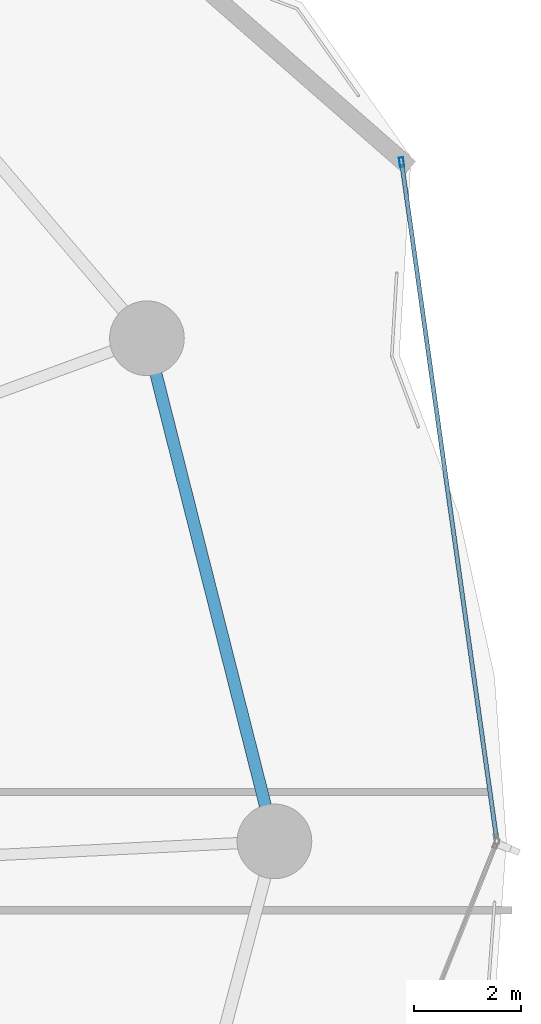
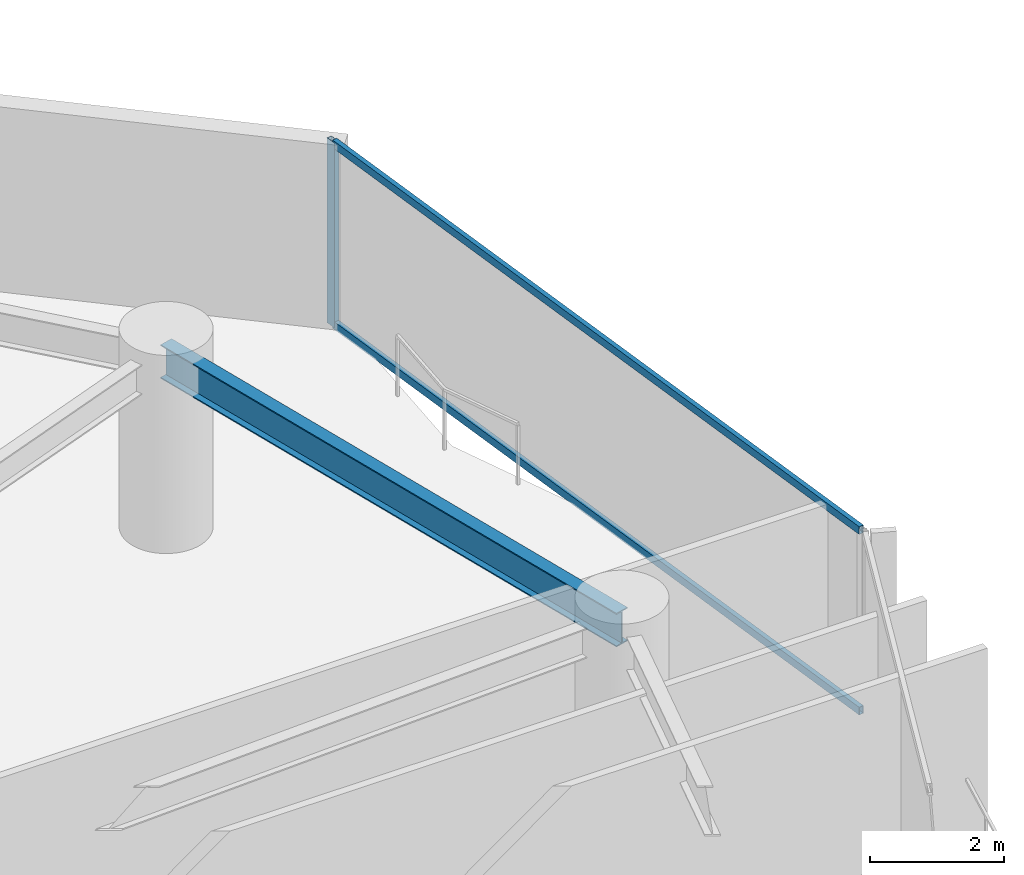
# One storey, part 23 of 32: 3 members, 1 beam, 1 element without a shape of its own.
"""IFC4 building model written with IfcOpenShell, lengths in metres."""

from ifc_helpers import new_model, si_unit, direction, frame, origin, origin_2d, place, context, subcontext, project, spatial, hollow_rectangle, i_section, extrude, material, layer, layer_set, material_profile, profile_set, type_object, element, aggregate, save


model = new_model("IFC4")

# Units and contexts
model_context = context("Model", 3, precision=1e-05, world=origin(), true_north=direction((0.0, 1.0)))
body_context = subcontext(model_context, "Body", "Model", "MODEL_VIEW")
ifc_project = project(units=[si_unit("LENGTHUNIT", "METRE"), si_unit("AREAUNIT", "SQUARE_METRE"), si_unit("VOLUMEUNIT", "CUBIC_METRE"), si_unit("PLANEANGLEUNIT", "RADIAN"), si_unit("MASSUNIT", "GRAM", prefix="KILO")], contexts=[model_context])

# Site, building, storey
site_placement = place(None, origin())
site = spatial("IfcSite", under=ifc_project, at=site_placement, CompositionType="ELEMENT")
building_placement = place(site_placement, origin())
building = spatial("IfcBuilding", under=site, at=building_placement, Name="Kazevale Care Tower and Concert Hall", CompositionType="ELEMENT")
storey_placement = place(building_placement, frame((0.0, 0.0, 42.0)))
storey = spatial("IfcBuildingStorey", under=building, at=storey_placement, Name="L10", CompositionType="ELEMENT", Elevation=42.0)

# Curtain wall, members
ifc_material_1 = material(Name="Aluminium 6063-T6 and Low-E Glass", Category="aluminium")
ifc_layer = layer(ifc_material_1, 0.179931640625)
ifc_layer_set = layer_set([ifc_layer], Name="Aluminium 6063-T6 and Low-E Glass")
curtain_wall_type = type_object("IfcCurtainWallType", Name="Waist & Upper Residential Curtain Wall CW-4", PredefinedType="NOTDEFINED", material=ifc_layer_set)
curtain_wall_placement = place(storey_placement, origin())
curtain_wall = element("IfcCurtainWall", 1, at=curtain_wall_placement, inside=storey, type_object=curtain_wall_type, Name="cw:L10:f18", PredefinedType="NOTDEFINED")
ifc_material_2 = material(Name="Aluminium 6063-T6", Category="aluminium")
ifc_material_profile_1 = material_profile(ifc_material_2, hollow_rectangle(XDim=0.080078125, YDim=0.179931640625, WallThickness=0.0048828125, at=origin_2d()), Name="ALU80x180x5")
ifc_profile_set_1 = profile_set([ifc_material_profile_1], Name="Aluminium 6063-T6")
member_type_1 = type_object("IfcMemberType", Name="CW-4 Mullion ALU80x180x5", PredefinedType="MULLION", material=ifc_profile_set_1)
member_1_placement = place(storey_placement, frame((78.83349609375, 50.7294921875, 0.0), z_axis=(0.0, 0.0, 1.0), x_axis=(0.990295475282, 0.138977953775, 0.0)))
member_1 = element("IfcMember", 2, at=member_1_placement, type_object=member_type_1, Name="CW-4 mullion 1", PredefinedType="MULLION", context=body_context, shape_type="SweptSolid", body=[
    extrude(hollow_rectangle(XDim=0.080078125, YDim=0.179931640625, WallThickness=0.0048828125, at=origin_2d()), origin(), (0.0, 0.0, 1.0), 3.360107421875),
])
ifc_material_profile_2 = material_profile(ifc_material_2, hollow_rectangle(XDim=0.080078125, YDim=0.139892578125, WallThickness=0.00390625, at=origin_2d()), Name="ALU80x140x4")
ifc_profile_set_2 = profile_set([ifc_material_profile_2], Name="Aluminium 6063-T6")
member_type_2 = type_object("IfcMemberType", Name="CW-4 Transom ALU80x140x4", PredefinedType="USERDEFINED", material=ifc_profile_set_2)
member_2_placement = place(storey_placement, frame((78.839111328125, 50.689697265625, 0.0400390625), z_axis=(0.138981041567, -0.990295041937, 0.0), x_axis=(0.990295041937, 0.138981041567, 0.0)))
member_2 = element("IfcMember", 3, at=member_2_placement, type_object=member_type_2, Name="CW-4 transom 1.1", ObjectType="TRANSOM", PredefinedType="USERDEFINED", context=body_context, shape_type="SweptSolid", body=[
    extrude(hollow_rectangle(XDim=0.080078125, YDim=0.139892578125, WallThickness=0.00390625, at=origin_2d()), origin(), (0.0, 0.0, 1.0), 12.73388671875),
])
member_3_placement = place(storey_placement, frame((78.839111328125, 50.689697265625, 3.320068359375), z_axis=(0.138981041567, -0.990295041937, 0.0), x_axis=(0.990295041937, 0.138981041567, 0.0)))
member_3 = element("IfcMember", 4, at=member_3_placement, type_object=member_type_2, Name="CW-4 transom 1.2", ObjectType="TRANSOM", PredefinedType="USERDEFINED", context=body_context, shape_type="SweptSolid", body=[
    extrude(hollow_rectangle(XDim=0.080078125, YDim=0.139892578125, WallThickness=0.00390625, at=origin_2d()), origin(), (0.0, 0.0, 1.0), 12.73388671875),
])
aggregate(curtain_wall, [member_1, member_2, member_3])

# Beam
ifc_material_3 = material(Name="Steel ASTM A572 Gr 50", Category="steel")
ifc_material_profile_3 = material_profile(ifc_material_3, i_section(OverallWidth=0.22900390625, OverallDepth=0.612060546875, WebThickness=0.011962890625, FlangeThickness=0.01953125, at=origin_2d()), Name="W610x125")
ifc_profile_set_3 = profile_set([ifc_material_profile_3], Name="Steel ASTM A572 Gr 50")
beam_type = type_object("IfcBeamType", Name="Ring Spandrel Beam W610x125", PredefinedType="SPANDREL", material=ifc_profile_set_3)
beam_placement = place(storey_placement, frame((76.449951171875, 38.0, 3.053955078125), z_axis=(-0.245669948409, 0.969353535326, 0.0), x_axis=(-0.969353535326, -0.245669948409, 0.0)))
element("IfcBeam", 5, at=beam_placement, inside=storey, type_object=beam_type, Name="beam:L10:ring:01", PredefinedType="SPANDREL", context=body_context, shape_type="SweptSolid", body=[
    extrude(i_section(OverallWidth=0.22900390625, OverallDepth=0.612060546875, WebThickness=0.011962890625, FlangeThickness=0.01953125, at=origin_2d()), origin(), (0.0, 0.0, 1.0), 9.72802734375),
])

save(model, "model.ifc")
